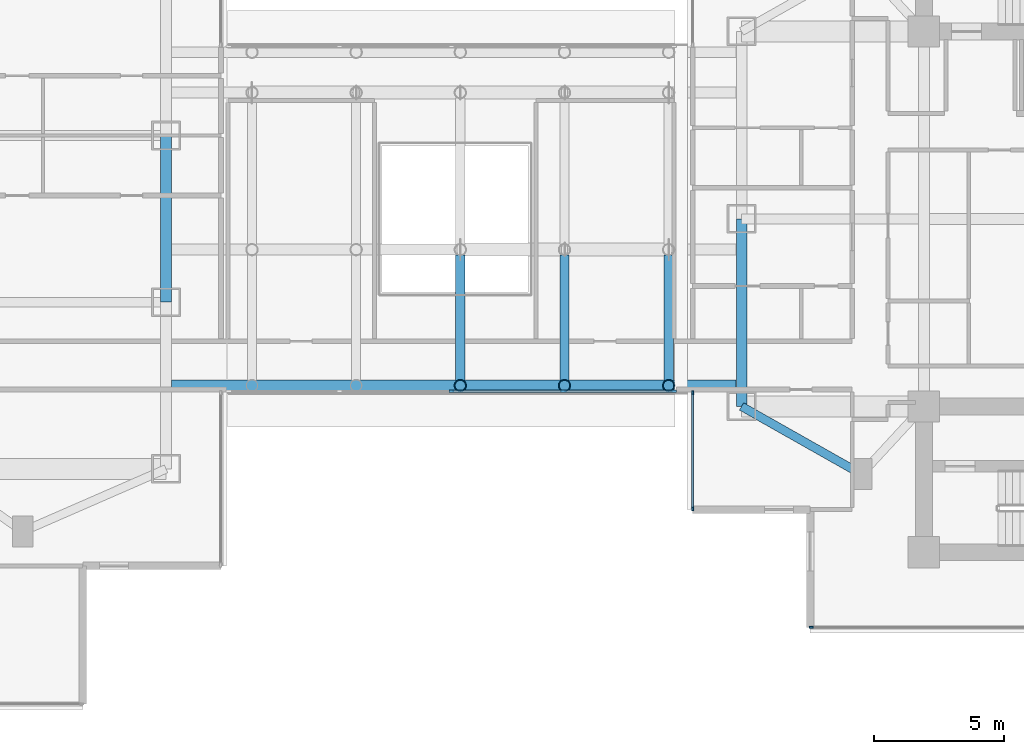
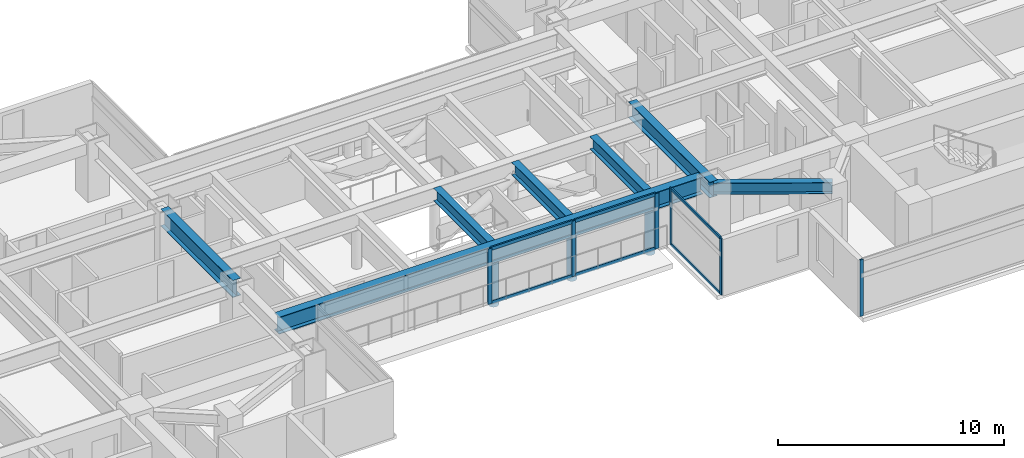
# One storey, part 5 of 28: 15 members, 7 beams, 3 elements without a shape of their own.
"""IFC4 building model written with IfcOpenShell, lengths in metres."""

from ifc_helpers import new_model, si_unit, direction, frame, origin, origin_2d, place, context, subcontext, project, spatial, rectangle, hollow_circle, i_section, extrude, material, material_profile, profile_set, type_object, element, aggregate, save


model = new_model("IFC4")

# Units and contexts
model_context = context("Model", 3, precision=1e-05, world=origin(), true_north=direction((0.0, 1.0)))
body_context = subcontext(model_context, "Body", "Model", "MODEL_VIEW")
ifc_project = project(units=[si_unit("LENGTHUNIT", "METRE"), si_unit("AREAUNIT", "SQUARE_METRE"), si_unit("VOLUMEUNIT", "CUBIC_METRE"), si_unit("PLANEANGLEUNIT", "RADIAN"), si_unit("MASSUNIT", "GRAM", prefix="KILO")], contexts=[model_context])

# Site, building, storey
site_placement = place(None, origin())
site = spatial("IfcSite", under=ifc_project, at=site_placement, CompositionType="ELEMENT")
building_placement = place(site_placement, origin())
building = spatial("IfcBuilding", under=site, at=building_placement, Name="Mirazonda Arch Towers", CompositionType="ELEMENT")
storey_placement = place(building_placement, frame((0.0, 0.0, 91.699951171875)))
storey = spatial("IfcBuildingStorey", under=building, at=storey_placement, Name="L25", CompositionType="ELEMENT", Elevation=91.699951171875)

# Beams
ifc_material_1 = material(Name="Steel ASTM A992 Grade 50", Category="steel")
ifc_material_profile_1 = material_profile(ifc_material_1, i_section(OverallWidth=0.39990234375, OverallDepth=0.85595703125, WebThickness=0.018310546875, FlangeThickness=0.029296875, at=origin_2d()), Name="W33X201")
ifc_profile_set_1 = profile_set([ifc_material_profile_1], Name="Steel ASTM A992 Grade 50")
beam_type_1 = type_object("IfcBeamType", Name="BM-EXT-W33X201", PredefinedType="USERDEFINED", material=ifc_profile_set_1)
beam_1_placement = place(storey_placement, frame((61.0, 20.800048828125, 2.652099609375), z_axis=(0.0, 1.0, 0.0), x_axis=(-1.0, 0.0, 0.0)))
element("IfcBeam", 1, at=beam_1_placement, inside=storey, type_object=beam_type_1, Name="L25 Floor Beam BM-T2-L25-NS-W-20", ObjectType="GIRDER", PredefinedType="USERDEFINED", context=body_context, shape_type="SweptSolid", body=[
    extrude(i_section(OverallWidth=0.39990234375, OverallDepth=0.85595703125, WebThickness=0.018310546875, FlangeThickness=0.029296875, at=origin_2d()), origin(), (0.0, 0.0, 1.0), 7.199951171875),
])
ifc_material_profile_2 = material_profile(ifc_material_1, i_section(OverallWidth=0.41796875, OverallDepth=0.927001953125, WebThickness=0.019287109375, FlangeThickness=0.031982421875, at=origin_2d()), Name="W36X231")
ifc_profile_set_2 = profile_set([ifc_material_profile_2], Name="Steel ASTM A992 Grade 50")
beam_type_2 = type_object("IfcBeamType", Name="BM-EXT-W36X231", PredefinedType="USERDEFINED", material=ifc_profile_set_2)
beam_2_placement = place(storey_placement, frame((38.89990234375, 24.800048828125, 2.616455078125), z_axis=(0.0, 1.0, 0.0), x_axis=(-1.0, 0.0, 0.0)))
element("IfcBeam", 2, at=beam_2_placement, inside=storey, type_object=beam_type_2, Name="L25 Floor Beam BM-T1-L25-NS-E-24", ObjectType="GIRDER", PredefinedType="USERDEFINED", context=body_context, shape_type="SweptSolid", body=[
    extrude(i_section(OverallWidth=0.41796875, OverallDepth=0.927001953125, WebThickness=0.019287109375, FlangeThickness=0.031982421875, at=origin_2d()), origin(), (0.0, 0.0, 1.0), 6.39990234375),
])
beam_3_placement = place(storey_placement, frame((39.10400390625, 21.60009765625, 2.556640625), z_axis=(1.0, 0.0, 0.0), x_axis=(0.0, 1.0, 0.0)))
element("IfcBeam", 3, at=beam_3_placement, inside=storey, type_object=beam_type_2, Name="L26 Skybridge S Longitudinal Box Girder", ObjectType="GIRDER", PredefinedType="USERDEFINED", context=body_context, shape_type="SweptSolid", body=[
    extrude(i_section(OverallWidth=0.41796875, OverallDepth=0.927001953125, WebThickness=0.019287109375, FlangeThickness=0.031982421875, at=origin_2d()), origin(), (0.0, 0.0, 1.0), 21.69189453125),
])
ifc_material_profile_3 = material_profile(ifc_material_1, i_section(OverallWidth=0.324951171875, OverallDepth=0.615966796875, WebThickness=0.013916015625, FlangeThickness=0.021484375, at=origin_2d()), Name="W24X117")
ifc_profile_set_3 = profile_set([ifc_material_profile_3], Name="Steel ASTM A992 Grade 50")
beam_type_3 = type_object("IfcBeamType", Name="BM-INT-W24X117", PredefinedType="BEAM", material=ifc_profile_set_3)
beam_4_placement = place(storey_placement, frame((65.60009765625, 18.199951171875, 2.77197265625), z_axis=(-0.870559396632, 0.492063346467, 0.0), x_axis=(-0.492063346467, -0.870559396632, 0.0)))
element("IfcBeam", 4, at=beam_4_placement, inside=storey, type_object=beam_type_3, Name="L25 Floor Beam BM-T2-L25-PL-SW2", PredefinedType="BEAM", context=body_context, shape_type="SweptSolid", body=[
    extrude(i_section(OverallWidth=0.324951171875, OverallDepth=0.615966796875, WebThickness=0.013916015625, FlangeThickness=0.021484375, at=origin_2d()), origin(), (0.0, 0.0, 1.0), 5.2841796875),
])
ifc_material_profile_4 = material_profile(ifc_material_1, i_section(OverallWidth=0.35498046875, OverallDepth=0.696044921875, WebThickness=0.015380859375, FlangeThickness=0.02490234375, at=origin_2d()), Name="W27X146")
ifc_profile_set_4 = profile_set([ifc_material_profile_4], Name="Steel ASTM A992 Grade 50")
beam_type_4 = type_object("IfcBeamType", Name="BM-INT-W27X146", PredefinedType="BEAM", material=ifc_profile_set_4)
for number, where, z_axis, x_axis, name in (
    (5, (50.199951171875, 21.803955078125, 2.672119140625), (0.0, 1.0, 0.0), (-1.0, 0.0, 0.0), "L25 Floor Beam BM-BRG-L26-XG3A"),
    (6, (54.199951171875, 21.803955078125, 2.672119140625), (0.0, 1.0, 0.0), (-1.0, 0.0, 0.0), "L25 Floor Beam BM-BRG-L26-XG4A"),
    (7, (58.199951171875, 21.803955078125, 2.672119140625), (0.0, 1.0, 0.0), (-1.0, 0.0, 0.0), "L25 Floor Beam BM-BRG-L26-XG5A"),
):
    element("IfcBeam", number, at=place(storey_placement, frame(where, z_axis=z_axis, x_axis=x_axis)), inside=storey, type_object=beam_type_4, Name=name, PredefinedType="BEAM", context=body_context, shape_type="SweptSolid", body=[
        extrude(i_section(OverallWidth=0.35498046875, OverallDepth=0.696044921875, WebThickness=0.015380859375, FlangeThickness=0.02490234375, at=origin_2d()), origin(), (0.0, 0.0, 1.0), 4.81201171875),
    ])

# Members
ifc_material_2 = material(Name="Steel ASTM A572 Grade 50", Category="steel")
ifc_material_profile_5 = material_profile(ifc_material_2, hollow_circle(Radius=0.228515625, WallThickness=0.02197265625, at=origin_2d()), Name="BELTSTRUT457x22CHS")
ifc_profile_set_5 = profile_set([ifc_material_profile_5], Name="Steel ASTM A572 Grade 50")
member_type_1 = type_object("IfcMemberType", Name="MBR-EXT-BELTSTRUT457x22CHS", PredefinedType="STRUT", material=ifc_profile_set_5)
for number, where, z_axis, x_axis, name in (
    (8, (50.199951171875, 21.60009765625, -0.2900390625), (0.0, 0.0, 1.0), (1.0, 0.0, 0.0), "L25 Skybridge S Vierendeel Post 3"),
    (9, (54.199951171875, 21.60009765625, -0.2900390625), (0.0, 0.0, 1.0), (1.0, 0.0, 0.0), "L25 Skybridge S Vierendeel Post 4"),
    (10, (58.199951171875, 21.60009765625, -0.2900390625), (0.0, 0.0, 1.0), (1.0, 0.0, 0.0), "L25 Skybridge S Vierendeel Post 5"),
):
    element("IfcMember", number, at=place(storey_placement, frame(where, z_axis=z_axis, x_axis=x_axis)), inside=storey, type_object=member_type_1, Name=name, PredefinedType="STRUT", context=body_context, shape_type="SweptSolid", body=[
        extrude(hollow_circle(Radius=0.228515625, WallThickness=0.02197265625, at=origin_2d()), origin(), (0.0, 0.0, 1.0), 2.39306640625),
    ])

# Curtain wall, members
ifc_material_3 = material(Name="Anodised Aluminium and Low-E Glass", Category="aluminium")
curtain_wall_type_1 = type_object("IfcCurtainWallType", Name="CW-BRG-LINK", PredefinedType="NOTDEFINED", material=ifc_material_3)
curtain_wall_1_placement = place(storey_placement, origin())
curtain_wall_1 = element("IfcCurtainWall", 11, at=curtain_wall_1_placement, inside=storey, type_object=curtain_wall_type_1, Name="L25 Skybridge South Glazing CW-L25-BRG-S", PredefinedType="NOTDEFINED")
ifc_material_4 = material(Name="Anodised Aluminium Alloy", Category="aluminium")
ifc_material_profile_6 = material_profile(ifc_material_4, rectangle(XDim=0.0849609375, YDim=0.199951171875, at=origin_2d()), Name="ALU-MULL-85x200")
ifc_profile_set_6 = profile_set([ifc_material_profile_6], Name="Anodised Aluminium Alloy")
member_type_2 = type_object("IfcMemberType", Name="MULL-CW-BRG-LINK", PredefinedType="MULLION", material=ifc_profile_set_6)
member_1_placement = place(storey_placement, frame((58.406982421875, 21.3798828125, 0.0), z_axis=(0.0, 0.0, 1.0), x_axis=(0.0, -1.0, 0.0)))
member_1 = element("IfcMember", 12, at=member_1_placement, type_object=member_type_2, Name="CW-103 mullion 1", PredefinedType="MULLION", context=body_context, shape_type="SweptSolid", body=[
    extrude(rectangle(XDim=0.0849609375, YDim=0.199951171875, at=origin_2d()), origin(), (0.0, 0.0, 1.0), 3.0),
])
member_2_placement = place(storey_placement, frame((54.154541015625, 21.3798828125, 0.0), z_axis=(0.0, 0.0, 1.0), x_axis=(0.0, -1.0, 0.0)))
member_2 = element("IfcMember", 13, at=member_2_placement, type_object=member_type_2, Name="CW-103 mullion 2", PredefinedType="MULLION", context=body_context, shape_type="SweptSolid", body=[
    extrude(rectangle(XDim=0.0849609375, YDim=0.199951171875, at=origin_2d()), origin(), (0.0, 0.0, 1.0), 3.0),
])
member_3_placement = place(storey_placement, frame((49.85986328125, 21.3798828125, 0.0), z_axis=(0.0, 0.0, 1.0), x_axis=(0.0, -1.0, 0.0)))
member_3 = element("IfcMember", 14, at=member_3_placement, type_object=member_type_2, Name="CW-103 mullion 3", PredefinedType="MULLION", context=body_context, shape_type="SweptSolid", body=[
    extrude(rectangle(XDim=0.0849609375, YDim=0.199951171875, at=origin_2d()), origin(), (0.0, 0.0, 1.0), 3.0),
])

# Curtain wall, member
curtain_wall_type_2 = type_object("IfcCurtainWallType", Name="CW-HTL-UNIT", PredefinedType="NOTDEFINED", material=ifc_material_3)
curtain_wall_2_placement = place(storey_placement, origin())
curtain_wall_2 = element("IfcCurtainWall", 15, at=curtain_wall_2_placement, inside=storey, type_object=curtain_wall_type_2, Name="L25 T2 S Facade CW-L25-T2-S", PredefinedType="NOTDEFINED")
ifc_material_profile_7 = material_profile(ifc_material_4, rectangle(XDim=0.074951171875, YDim=0.1650390625, at=origin_2d()), Name="ALU-MULL-75x165")
ifc_profile_set_7 = profile_set([ifc_material_profile_7], Name="Anodised Aluminium Alloy")
member_type_3 = type_object("IfcMemberType", Name="MULL-CW-HTL-UNIT", PredefinedType="MULLION", material=ifc_profile_set_7)
member_4_placement = place(storey_placement, frame((63.67333984375, 12.319091796875, 0.0), z_axis=(0.0, 0.0, 1.0), x_axis=(0.0, -1.0, 0.0)))
member_4 = element("IfcMember", 16, at=member_4_placement, type_object=member_type_3, Name="CW-112 mullion 4", PredefinedType="MULLION", context=body_context, shape_type="SweptSolid", body=[
    extrude(rectangle(XDim=0.074951171875, YDim=0.1650390625, at=origin_2d()), origin(), (0.0, 0.0, 1.0), 3.06005859375),
])
aggregate(curtain_wall_2, [member_4])

# Curtain wall, members
curtain_wall_3_placement = place(storey_placement, origin())
curtain_wall_3 = element("IfcCurtainWall", 17, at=curtain_wall_3_placement, inside=storey, type_object=curtain_wall_type_2, Name="L25 Curtain Wall CW-L25-T2-W2", PredefinedType="NOTDEFINED")
member_5_placement = place(storey_placement, frame((59.119384765625, 21.322509765625, 0.0), z_axis=(0.0, 0.0, 1.0), x_axis=(1.0, 0.0, 0.0)))
member_5 = element("IfcMember", 18, at=member_5_placement, type_object=member_type_3, Name="CW-112 mullion 1", PredefinedType="MULLION", context=body_context, shape_type="SweptSolid", body=[
    extrude(rectangle(XDim=0.074951171875, YDim=0.1650390625, at=origin_2d()), origin(), (0.0, 0.0, 1.0), 3.06005859375),
])
member_6_placement = place(storey_placement, frame((59.119384765625, 16.873046875, 0.0), z_axis=(0.0, 0.0, 1.0), x_axis=(1.0, 0.0, 0.0)))
member_6 = element("IfcMember", 19, at=member_6_placement, type_object=member_type_3, Name="CW-112 mullion 2", PredefinedType="MULLION", context=body_context, shape_type="SweptSolid", body=[
    extrude(rectangle(XDim=0.074951171875, YDim=0.1650390625, at=origin_2d()), origin(), (0.0, 0.0, 1.0), 3.06005859375),
])

# Member
ifc_material_profile_8 = material_profile(ifc_material_4, rectangle(XDim=0.0849609375, YDim=0.179931640625, at=origin_2d()), Name="ALU-TRAN-85x180")
ifc_profile_set_8 = profile_set([ifc_material_profile_8], Name="Anodised Aluminium Alloy")
member_type_4 = type_object("IfcMemberType", Name="TRAN-CW-BRG-LINK", PredefinedType="USERDEFINED", material=ifc_profile_set_8)
member_7_placement = place(storey_placement, frame((58.364501953125, 21.3798828125, 0.04248046875), z_axis=(-1.0, 0.0, 0.0), x_axis=(0.0, -1.0, 0.0)))
member_7 = element("IfcMember", 20, at=member_7_placement, type_object=member_type_4, Name="CW-103 transom 1.1", ObjectType="TRANSOM", PredefinedType="USERDEFINED", context=body_context, shape_type="SweptSolid", body=[
    extrude(rectangle(XDim=0.0849609375, YDim=0.179931640625, at=origin_2d()), origin(), (0.0, 0.0, 1.0), 4.16748046875),
])

member_8_placement = place(storey_placement, frame((58.364501953125, 21.3798828125, 2.95751953125), z_axis=(-1.0, 0.0, 0.0), x_axis=(0.0, -1.0, 0.0)))
member_8 = element("IfcMember", 21, at=member_8_placement, type_object=member_type_4, Name="CW-103 transom 1.2", ObjectType="TRANSOM", PredefinedType="USERDEFINED", context=body_context, shape_type="SweptSolid", body=[
    extrude(rectangle(XDim=0.0849609375, YDim=0.179931640625, at=origin_2d()), origin(), (0.0, 0.0, 1.0), 4.16748046875),
])

member_9_placement = place(storey_placement, frame((54.112060546875, 21.3798828125, 0.04248046875), z_axis=(-1.0, 0.0, 0.0), x_axis=(0.0, -1.0, 0.0)))
member_9 = element("IfcMember", 22, at=member_9_placement, type_object=member_type_4, Name="CW-103 transom 2.1", ObjectType="TRANSOM", PredefinedType="USERDEFINED", context=body_context, shape_type="SweptSolid", body=[
    extrude(rectangle(XDim=0.0849609375, YDim=0.179931640625, at=origin_2d()), origin(), (0.0, 0.0, 1.0), 4.209716796875),
])

member_10_placement = place(storey_placement, frame((54.112060546875, 21.3798828125, 2.95751953125), z_axis=(-1.0, 0.0, 0.0), x_axis=(0.0, -1.0, 0.0)))
member_10 = element("IfcMember", 23, at=member_10_placement, type_object=member_type_4, Name="CW-103 transom 2.2", ObjectType="TRANSOM", PredefinedType="USERDEFINED", context=body_context, shape_type="SweptSolid", body=[
    extrude(rectangle(XDim=0.0849609375, YDim=0.179931640625, at=origin_2d()), origin(), (0.0, 0.0, 1.0), 4.209716796875),
])

aggregate(curtain_wall_1, [member_1, member_2, member_3, member_7, member_8, member_9, member_10])

ifc_material_profile_9 = material_profile(ifc_material_4, rectangle(XDim=0.074951171875, YDim=0.14501953125, at=origin_2d()), Name="ALU-TRAN-75x145")
ifc_profile_set_9 = profile_set([ifc_material_profile_9], Name="Anodised Aluminium Alloy")
member_type_5 = type_object("IfcMemberType", Name="TRAN-CW-HTL-UNIT", PredefinedType="USERDEFINED", material=ifc_profile_set_9)
member_11_placement = place(storey_placement, frame((59.119384765625, 21.284912109375, 0.03759765625), z_axis=(0.0, -1.0, 0.0), x_axis=(1.0, 0.0, 0.0)))
member_11 = element("IfcMember", 24, at=member_11_placement, type_object=member_type_5, Name="CW-112 transom 1.1", ObjectType="TRANSOM", PredefinedType="USERDEFINED", context=body_context, shape_type="SweptSolid", body=[
    extrude(rectangle(XDim=0.074951171875, YDim=0.14501953125, at=origin_2d()), origin(), (0.0, 0.0, 1.0), 4.37451171875),
])

member_12_placement = place(storey_placement, frame((59.119384765625, 21.284912109375, 3.0224609375), z_axis=(0.0, -1.0, 0.0), x_axis=(1.0, 0.0, 0.0)))
member_12 = element("IfcMember", 25, at=member_12_placement, type_object=member_type_5, Name="CW-112 transom 1.2", ObjectType="TRANSOM", PredefinedType="USERDEFINED", context=body_context, shape_type="SweptSolid", body=[
    extrude(rectangle(XDim=0.074951171875, YDim=0.14501953125, at=origin_2d()), origin(), (0.0, 0.0, 1.0), 4.37451171875),
])

aggregate(curtain_wall_3, [member_5, member_6, member_11, member_12])

save(model, "model.ifc")
